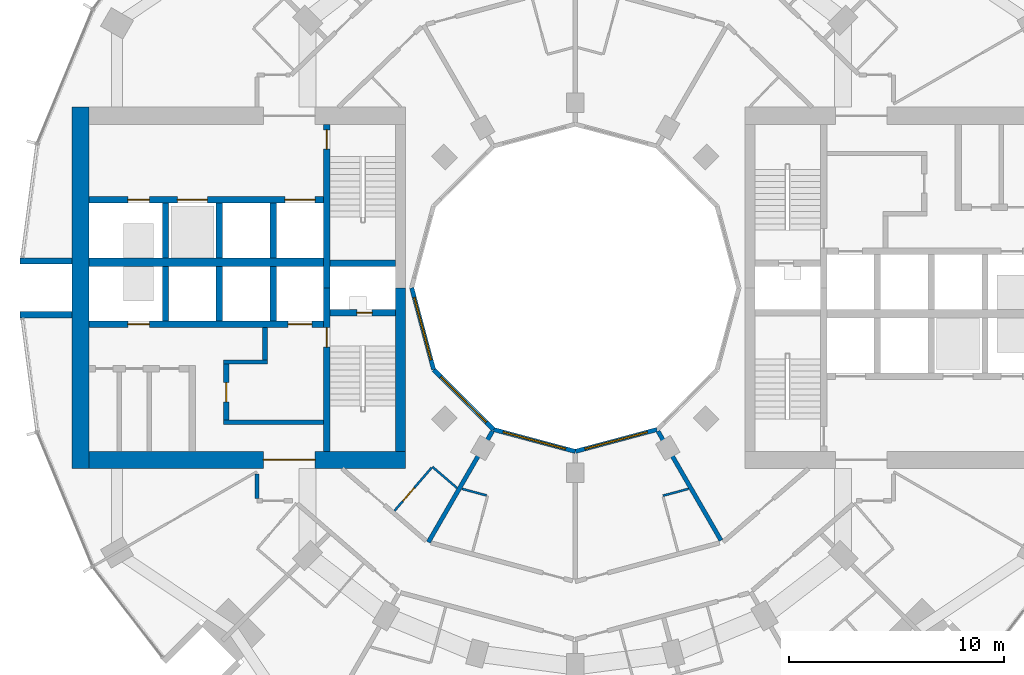
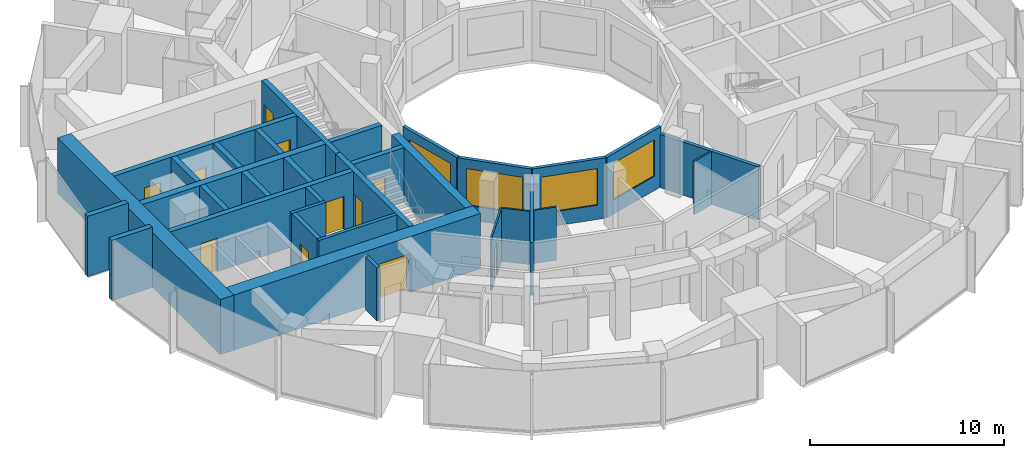
# One storey, part 9 of 15: 33 walls, 11 doors, 4 windows, 15 openings.
"""IFC4 building model written with IfcOpenShell, lengths in metres."""

from ifc_helpers import new_model, si_unit, direction, frame, frame_2d, origin, place, context, subcontext, project, spatial, rectangle, extrude, material, layer, layer_set, type_object, element, fill, save


model = new_model("IFC4")

# Units and contexts
model_context = context("Model", 3, precision=1e-05, world=origin(), true_north=direction((0.0, 1.0)))
body_context = subcontext(model_context, "Body", "Model", "MODEL_VIEW")
ifc_project = project(units=[si_unit("LENGTHUNIT", "METRE"), si_unit("AREAUNIT", "SQUARE_METRE"), si_unit("VOLUMEUNIT", "CUBIC_METRE"), si_unit("PLANEANGLEUNIT", "RADIAN"), si_unit("MASSUNIT", "GRAM", prefix="KILO")], contexts=[model_context])

# Site, building, storey
site_placement = place(None, origin())
site = spatial("IfcSite", under=ifc_project, at=site_placement, CompositionType="ELEMENT")
building_placement = place(site_placement, origin())
building = spatial("IfcBuilding", under=site, at=building_placement, Name="Torre Brocal", CompositionType="ELEMENT")
storey_placement = place(building_placement, frame((0.0, 0.0, 36.39990234375)))
storey = spatial("IfcBuildingStorey", under=building, at=storey_placement, Name="L07", CompositionType="ELEMENT", Elevation=36.39990234375)

# Walls
ifc_material_1 = material(Name="Concrete C80", Category="concrete")
ifc_layer_1 = layer(ifc_material_1, 0.199951171875)
ifc_layer_set_1 = layer_set([ifc_layer_1], Name="Concrete C80")
wall_type_1 = type_object("IfcWallType", Name="CORE WALL 200 C80", PredefinedType="SHEAR", material=ifc_layer_set_1)
wall_1_placement = place(storey_placement, frame((68.300048828125, 68.75, 0.0), z_axis=(0.0, 0.0, 1.0), x_axis=(-1.0, 0.0, 0.0)))
element("IfcWall", 1, at=wall_1_placement, inside=storey, type_object=wall_type_1, Name="Wall CW200-80", PredefinedType="SHEAR", context=body_context, shape_type="SweptSolid", body=[
    extrude(rectangle(XDim=4.650146484375, YDim=0.199951171875, at=frame_2d((2.3251953125, 0.0))), origin(), (0.0, 0.0, 1.0), 3.47998046875),
])
wall_2_placement = place(storey_placement, frame((65.699951171875, 71.550048828125, 0.0), z_axis=(0.0, 0.0, 1.0), x_axis=(-1.0, 0.0, 0.0)))
element("IfcWall", 2, at=wall_2_placement, inside=storey, type_object=wall_type_1, Name="Wall CW200-80", PredefinedType="SHEAR", context=body_context, shape_type="SweptSolid", body=[
    extrude(rectangle(XDim=2.050048828125, YDim=0.199951171875, at=frame_2d((1.02490234375, 0.0))), origin(), (0.0, 0.0, 1.0), 3.47998046875),
])

# Wall, opening, door
ifc_material_2 = material(Name="Concrete C80", Category="concrete")
ifc_layer_2 = layer(ifc_material_2, 0.25)
ifc_layer_set_2 = layer_set([ifc_layer_2], Name="Concrete C80")
wall_type_2 = type_object("IfcWallType", Name="CORE WALL 250 C80", PredefinedType="SHEAR", material=ifc_layer_set_2)
wall_3_placement = place(storey_placement, frame((63.77490234375, 71.449951171875, 0.0), z_axis=(0.0, 0.0, 1.0), x_axis=(0.0, -1.0, 0.0)))
wall_3 = element("IfcWall", 3, at=wall_3_placement, inside=storey, type_object=wall_type_2, Name="Wall CW250-80", PredefinedType="SHEAR", context=body_context, shape_type="SweptSolid", body=[
    extrude(rectangle(XDim=2.599853515625, YDim=0.25, at=frame_2d((1.2998046875, 0.0))), origin(), (0.0, 0.0, 1.0), 3.47998046875),
])
opening_1_placement = place(wall_3_placement, frame((0.85009765625, 0.0, 0.0)))
opening_1 = element("IfcOpeningElement", 4, at=opening_1_placement, cuts=wall_3, Name="Opening W-D15", PredefinedType="OPENING", context=body_context, shape_type="SweptSolid", body=[
    extrude(rectangle(XDim=0.89990234375, YDim=2.10009765625, at=frame_2d((0.449951171875, 1.050048828125))), frame((0.0, 0.135009765625, 0.0), z_axis=(0.0, -1.0, 0.0), x_axis=(1.0, 0.0, 0.0)), (0.0, 0.0, 1.0), 0.27001953125),
])
ifc_material_3 = material(Name="Steel A653", Category="steel")
door_type_1 = type_object("IfcDoorType", Name="LOBBY DOOR FD120 900X2100", OperationType="SINGLE_SWING_RIGHT", PredefinedType="DOOR", material=ifc_material_3)
door_1_placement = place(opening_1_placement, origin())
door_1 = element("IfcDoor", 5, at=door_1_placement, inside=storey, type_object=door_type_1, Name="Door W-D15", OperationType="SINGLE_SWING_LEFT", OverallHeight=2.10009765625, OverallWidth=0.89990234375, PredefinedType="DOOR", context=body_context, shape_type="SweptSolid", body=[
    extrude(rectangle(XDim=0.89990234375, YDim=2.10009765625, at=frame_2d((0.449951171875, 1.050048828125))), frame((0.0, 0.02490234375, 0.0), z_axis=(0.0, -1.0, 0.0), x_axis=(1.0, 0.0, 0.0)), (0.0, 0.0, 1.0), 0.050048828125),
])
fill(opening_1, door_1)

# Wall
wall_4_placement = place(storey_placement, frame((65.574951171875, 73.14990234375, 0.0), z_axis=(0.0, 0.0, 1.0), x_axis=(0.0, -1.0, 0.0)))
element("IfcWall", 6, at=wall_4_placement, inside=storey, type_object=wall_type_2, Name="Wall CW250-80", PredefinedType="SHEAR", context=body_context, shape_type="SweptSolid", body=[
    extrude(rectangle(XDim=1.5, YDim=0.25, at=frame_2d((0.75, 0.0))), origin(), (0.0, 0.0, 1.0), 3.47998046875),
])

# Wall, opening, door
ifc_material_4 = material(Name="Concrete C80", Category="concrete")
ifc_layer_3 = layer(ifc_material_4, 0.300048828125)
ifc_layer_set_3 = layer_set([ifc_layer_3], Name="Concrete C80")
wall_type_3 = type_object("IfcWallType", Name="CORE WALL 300 C80", PredefinedType="SHEAR", material=ifc_layer_set_3)
wall_5_placement = place(storey_placement, frame((68.449951171875, 75.0, 0.0), z_axis=(0.0, 0.0, 1.0), x_axis=(0.0, -1.0, 0.0)))
wall_5 = element("IfcWall", 7, at=wall_5_placement, inside=storey, type_object=wall_type_3, Name="Wall CW300-80", PredefinedType="SHEAR", context=body_context, shape_type="SweptSolid", body=[
    extrude(rectangle(XDim=7.60009765625, YDim=0.300048828125, at=frame_2d((3.800048828125, 0.0))), origin(), (0.0, 0.0, 1.0), 3.47998046875),
])
opening_2_placement = place(wall_5_placement, frame((1.85009765625, 0.0, 0.0)))
opening_2 = element("IfcOpeningElement", 8, at=opening_2_placement, cuts=wall_5, Name="Opening W-D02", PredefinedType="OPENING", context=body_context, shape_type="SweptSolid", body=[
    extrude(rectangle(XDim=0.89990234375, YDim=2.10009765625, at=frame_2d((0.449951171875, 1.050048828125))), frame((0.0, 0.159912109375, 0.0), z_axis=(0.0, -1.0, 0.0), x_axis=(1.0, 0.0, 0.0)), (0.0, 0.0, 1.0), 0.320068359375),
])
ifc_material_5 = material(Name="Steel A653", Category="steel")
door_type_2 = type_object("IfcDoorType", Name="STAIR DOOR FD120 900X2100", OperationType="SINGLE_SWING_RIGHT", PredefinedType="DOOR", material=ifc_material_5)
door_2_placement = place(opening_2_placement, origin())
door_2 = element("IfcDoor", 9, at=door_2_placement, inside=storey, type_object=door_type_2, Name="Door W-D02", OperationType="SINGLE_SWING_LEFT", OverallHeight=2.10009765625, OverallWidth=0.89990234375, PredefinedType="DOOR", context=body_context, shape_type="SweptSolid", body=[
    extrude(rectangle(XDim=0.89990234375, YDim=2.10009765625, at=frame_2d((0.449951171875, 1.050048828125))), frame((0.0, 0.02490234375, 0.0), z_axis=(0.0, -1.0, 0.0), x_axis=(1.0, 0.0, 0.0)), (0.0, 0.0, 1.0), 0.050048828125),
])
fill(opening_2, door_2)

wall_6_placement = place(storey_placement, frame((68.449951171875, 82.60009765625, 0.0), z_axis=(0.0, 0.0, 1.0), x_axis=(0.0, -1.0, 0.0)))
wall_6 = element("IfcWall", 10, at=wall_6_placement, inside=storey, type_object=wall_type_3, Name="Wall CW300-80", PredefinedType="SHEAR", context=body_context, shape_type="SweptSolid", body=[
    extrude(rectangle(XDim=7.60009765625, YDim=0.300048828125, at=frame_2d((3.800048828125, 0.0))), origin(), (0.0, 0.0, 1.0), 3.47998046875),
])
opening_3_placement = place(wall_6_placement, frame((0.25, 0.0, 0.0)))
opening_3 = element("IfcOpeningElement", 11, at=opening_3_placement, cuts=wall_6, Name="Opening W-D03", PredefinedType="OPENING", context=body_context, shape_type="SweptSolid", body=[
    extrude(rectangle(XDim=0.89990234375, YDim=2.10009765625, at=frame_2d((0.449951171875, 1.050048828125))), frame((0.0, 0.159912109375, 0.0), z_axis=(0.0, -1.0, 0.0), x_axis=(1.0, 0.0, 0.0)), (0.0, 0.0, 1.0), 0.320068359375),
])
door_3_placement = place(opening_3_placement, origin())
door_3 = element("IfcDoor", 12, at=door_3_placement, inside=storey, type_object=door_type_2, Name="Door W-D03", OperationType="SINGLE_SWING_LEFT", OverallHeight=2.10009765625, OverallWidth=0.89990234375, PredefinedType="DOOR", context=body_context, shape_type="SweptSolid", body=[
    extrude(rectangle(XDim=0.89990234375, YDim=2.10009765625, at=frame_2d((0.449951171875, 1.050048828125))), frame((0.0, 0.02490234375, 0.0), z_axis=(0.0, -1.0, 0.0), x_axis=(1.0, 0.0, 0.0)), (0.0, 0.0, 1.0), 0.050048828125),
])
fill(opening_3, door_3)

wall_7_placement = place(storey_placement, frame((71.64990234375, 73.85009765625, 0.0), z_axis=(0.0, 0.0, 1.0), x_axis=(-1.0, 0.0, 0.0)))
wall_7 = element("IfcWall", 13, at=wall_7_placement, inside=storey, type_object=wall_type_3, Name="Wall CW300-80", PredefinedType="SHEAR", context=body_context, shape_type="SweptSolid", body=[
    extrude(rectangle(XDim=3.0498046875, YDim=0.300048828125, at=frame_2d((1.52490234375, 0.0))), origin(), (0.0, 0.0, 1.0), 3.47998046875),
])
opening_4_placement = place(wall_7_placement, frame((1.10009765625, 0.0, 0.0)))
opening_4 = element("IfcOpeningElement", 14, at=opening_4_placement, cuts=wall_7, Name="Opening W-D01", PredefinedType="OPENING", context=body_context, shape_type="SweptSolid", body=[
    extrude(rectangle(XDim=0.699951171875, YDim=2.0, at=frame_2d((0.35009765625, 1.0))), frame((0.0, 0.159912109375, 0.0), z_axis=(0.0, -1.0, 0.0), x_axis=(1.0, 0.0, 0.0)), (0.0, 0.0, 1.0), 0.320068359375),
])
ifc_material_6 = material(Name="Steel A653", Category="steel")
door_type_3 = type_object("IfcDoorType", Name="RISER DOOR FD120 700X2000", OperationType="SINGLE_SWING_LEFT", PredefinedType="DOOR", material=ifc_material_6)
door_4_placement = place(opening_4_placement, frame((0.699951171875, 0.0, 0.0), z_axis=(0.0, 0.0, 1.0), x_axis=(-1.0, 0.0, 0.0)))
door_4 = element("IfcDoor", 15, at=door_4_placement, inside=storey, type_object=door_type_3, Name="Door W-D01", OperationType="SINGLE_SWING_RIGHT", OverallHeight=2.0, OverallWidth=0.699951171875, PredefinedType="DOOR", context=body_context, shape_type="SweptSolid", body=[
    extrude(rectangle(XDim=0.699951171875, YDim=2.0, at=frame_2d((0.35009765625, 1.0))), frame((0.0, 0.02490234375, 0.0), z_axis=(0.0, -1.0, 0.0), x_axis=(1.0, 0.0, 0.0)), (0.0, 0.0, 1.0), 0.050048828125),
])
fill(opening_4, door_4)

# Wall
wall_8_placement = place(storey_placement, frame((71.64990234375, 76.14990234375, 0.0), z_axis=(0.0, 0.0, 1.0), x_axis=(-1.0, 0.0, 0.0)))
element("IfcWall", 16, at=wall_8_placement, inside=storey, type_object=wall_type_3, Name="Wall CW300-80", PredefinedType="SHEAR", context=body_context, shape_type="SweptSolid", body=[
    extrude(rectangle(XDim=3.0498046875, YDim=0.300048828125, at=frame_2d((1.52490234375, 0.0))), origin(), (0.0, 0.0, 1.0), 3.47998046875),
])

# Wall, openings, doors
wall_9_placement = place(storey_placement, frame((68.300048828125, 73.300048828125, 0.0), z_axis=(0.0, 0.0, 1.0), x_axis=(-1.0, 0.0, 0.0)))
wall_9 = element("IfcWall", 17, at=wall_9_placement, inside=storey, type_object=wall_type_3, Name="Wall CW300-80", PredefinedType="SHEAR", context=body_context, shape_type="SweptSolid", body=[
    extrude(rectangle(XDim=10.900146484375, YDim=0.300048828125, at=frame_2d((5.4501953125, 0.0))), origin(), (0.0, 0.0, 1.0), 3.47998046875),
])
opening_5_placement = place(wall_9_placement, frame((0.550048828125, 0.0, 0.0)))
opening_5 = element("IfcOpeningElement", 18, at=opening_5_placement, cuts=wall_9, Name="Opening LD", PredefinedType="OPENING", context=body_context, shape_type="SweptSolid", body=[
    extrude(rectangle(XDim=1.10009765625, YDim=2.10009765625, at=frame_2d((0.550048828125, 1.050048828125))), frame((0.0, 0.159912109375, 0.0), z_axis=(0.0, -1.0, 0.0), x_axis=(1.0, 0.0, 0.0)), (0.0, 0.0, 1.0), 0.320068359375),
])
opening_6_placement = place(wall_9_placement, frame((8.10009765625, 0.0, 0.0)))
opening_6 = element("IfcOpeningElement", 19, at=opening_6_placement, cuts=wall_9, Name="Opening LD10", PredefinedType="OPENING", context=body_context, shape_type="SweptSolid", body=[
    extrude(rectangle(XDim=1.0, YDim=2.10009765625, at=frame_2d((0.5, 1.050048828125))), frame((0.0, 0.159912109375, 0.0), z_axis=(0.0, -1.0, 0.0), x_axis=(1.0, 0.0, 0.0)), (0.0, 0.0, 1.0), 0.320068359375),
])
ifc_material_7 = material(Name="Stainless steel AISI 316", Category="steel")
door_type_4 = type_object("IfcDoorType", Name="LIFT LANDING DOOR 1000X2100", OperationType="DOUBLE_DOOR_SLIDING", PredefinedType="DOOR", material=ifc_material_7)
door_5_placement = place(opening_6_placement, origin())
door_5 = element("IfcDoor", 20, at=door_5_placement, inside=storey, type_object=door_type_4, Name="Door LD10", OperationType="DOUBLE_DOOR_SLIDING", OverallHeight=2.10009765625, OverallWidth=1.0, PredefinedType="DOOR", context=body_context, shape_type="SweptSolid", body=[
    extrude(rectangle(XDim=1.0, YDim=2.10009765625, at=frame_2d((0.5, 1.050048828125))), frame((0.0, 0.02490234375, 0.0), z_axis=(0.0, -1.0, 0.0), x_axis=(1.0, 0.0, 0.0)), (0.0, 0.0, 1.0), 0.050048828125),
])
fill(opening_6, door_5)
ifc_material_8 = material(Name="Stainless steel AISI 316", Category="steel")
door_type_5 = type_object("IfcDoorType", Name="LIFT LANDING DOOR 1100X2100", OperationType="DOUBLE_DOOR_SLIDING", PredefinedType="DOOR", material=ifc_material_8)
door_6_placement = place(opening_5_placement, origin())
door_6 = element("IfcDoor", 21, at=door_6_placement, inside=storey, type_object=door_type_5, Name="Door LD", OperationType="DOUBLE_DOOR_SLIDING", OverallHeight=2.10009765625, OverallWidth=1.10009765625, PredefinedType="DOOR", context=body_context, shape_type="SweptSolid", body=[
    extrude(rectangle(XDim=1.10009765625, YDim=2.10009765625, at=frame_2d((0.550048828125, 1.050048828125))), frame((0.0, 0.02490234375, 0.0), z_axis=(0.0, -1.0, 0.0), x_axis=(1.0, 0.0, 0.0)), (0.0, 0.0, 1.0), 0.050048828125),
])
fill(opening_5, door_6)

wall_10_placement = place(storey_placement, frame((68.300048828125, 79.10009765625, 0.0), z_axis=(0.0, 0.0, 1.0), x_axis=(-1.0, 0.0, 0.0)))
wall_10 = element("IfcWall", 22, at=wall_10_placement, inside=storey, type_object=wall_type_3, Name="Wall CW300-80", PredefinedType="SHEAR", context=body_context, shape_type="SweptSolid", body=[
    extrude(rectangle(XDim=10.900146484375, YDim=0.300048828125, at=frame_2d((5.4501953125, 0.0))), origin(), (0.0, 0.0, 1.0), 3.47998046875),
])
opening_7_placement = place(wall_10_placement, frame((0.39990234375, 0.0, 0.0)))
opening_7 = element("IfcOpeningElement", 23, at=opening_7_placement, cuts=wall_10, Name="Opening LD14", PredefinedType="OPENING", context=body_context, shape_type="SweptSolid", body=[
    extrude(rectangle(XDim=1.39990234375, YDim=2.10009765625, at=frame_2d((0.699951171875, 1.050048828125))), frame((0.0, 0.159912109375, 0.0), z_axis=(0.0, -1.0, 0.0), x_axis=(1.0, 0.0, 0.0)), (0.0, 0.0, 1.0), 0.320068359375),
])
opening_8_placement = place(wall_10_placement, frame((5.39990234375, 0.0, 0.0)))
opening_8 = element("IfcOpeningElement", 24, at=opening_8_placement, cuts=wall_10, Name="Opening LD14", PredefinedType="OPENING", context=body_context, shape_type="SweptSolid", body=[
    extrude(rectangle(XDim=1.39990234375, YDim=2.10009765625, at=frame_2d((0.699951171875, 1.050048828125))), frame((0.0, 0.159912109375, 0.0), z_axis=(0.0, -1.0, 0.0), x_axis=(1.0, 0.0, 0.0)), (0.0, 0.0, 1.0), 0.320068359375),
])
opening_9_placement = place(wall_10_placement, frame((8.10009765625, 0.0, 0.0)))
opening_9 = element("IfcOpeningElement", 25, at=opening_9_placement, cuts=wall_10, Name="Opening LD10", PredefinedType="OPENING", context=body_context, shape_type="SweptSolid", body=[
    extrude(rectangle(XDim=1.0, YDim=2.10009765625, at=frame_2d((0.5, 1.050048828125))), frame((0.0, 0.159912109375, 0.0), z_axis=(0.0, -1.0, 0.0), x_axis=(1.0, 0.0, 0.0)), (0.0, 0.0, 1.0), 0.320068359375),
])
door_7_placement = place(opening_9_placement, origin())
door_7 = element("IfcDoor", 26, at=door_7_placement, inside=storey, type_object=door_type_4, Name="Door LD10", OperationType="DOUBLE_DOOR_SLIDING", OverallHeight=2.10009765625, OverallWidth=1.0, PredefinedType="DOOR", context=body_context, shape_type="SweptSolid", body=[
    extrude(rectangle(XDim=1.0, YDim=2.10009765625, at=frame_2d((0.5, 1.050048828125))), frame((0.0, 0.02490234375, 0.0), z_axis=(0.0, -1.0, 0.0), x_axis=(1.0, 0.0, 0.0)), (0.0, 0.0, 1.0), 0.050048828125),
])
fill(opening_9, door_7)
ifc_material_9 = material(Name="Stainless steel AISI 316", Category="steel")
door_type_6 = type_object("IfcDoorType", Name="LIFT LANDING DOOR 1400X2100", OperationType="DOUBLE_DOOR_SLIDING", PredefinedType="DOOR", material=ifc_material_9)
door_8_placement = place(opening_7_placement, origin())
door_8 = element("IfcDoor", 27, at=door_8_placement, inside=storey, type_object=door_type_6, Name="Door LD14", OperationType="DOUBLE_DOOR_SLIDING", OverallHeight=2.10009765625, OverallWidth=1.39990234375, PredefinedType="DOOR", context=body_context, shape_type="SweptSolid", body=[
    extrude(rectangle(XDim=1.39990234375, YDim=2.10009765625, at=frame_2d((0.699951171875, 1.050048828125))), frame((0.0, 0.02490234375, 0.0), z_axis=(0.0, -1.0, 0.0), x_axis=(1.0, 0.0, 0.0)), (0.0, 0.0, 1.0), 0.050048828125),
])
fill(opening_7, door_8)
door_9_placement = place(opening_8_placement, origin())
door_9 = element("IfcDoor", 28, at=door_9_placement, inside=storey, type_object=door_type_6, Name="Door LD14", OperationType="DOUBLE_DOOR_SLIDING", OverallHeight=2.10009765625, OverallWidth=1.39990234375, PredefinedType="DOOR", context=body_context, shape_type="SweptSolid", body=[
    extrude(rectangle(XDim=1.39990234375, YDim=2.10009765625, at=frame_2d((0.699951171875, 1.050048828125))), frame((0.0, 0.02490234375, 0.0), z_axis=(0.0, -1.0, 0.0), x_axis=(1.0, 0.0, 0.0)), (0.0, 0.0, 1.0), 0.050048828125),
])
fill(opening_8, door_9)

# Walls
for number, where, z_axis, x_axis, name in (
    (29, (65.949951171875, 76.0, 0.0), (0.0, 0.0, 1.0), (0.0, -1.0, 0.0), "Wall CW300-80"),
    (30, (63.449951171875, 76.0, 0.0), (0.0, 0.0, 1.0), (0.0, -1.0, 0.0), "Wall CW300-80"),
    (31, (60.949951171875, 76.0, 0.0), (0.0, 0.0, 1.0), (0.0, -1.0, 0.0), "Wall CW300-80"),
    (32, (65.949951171875, 78.949951171875, 0.0), (0.0, 0.0, 1.0), (0.0, -1.0, 0.0), "Wall CW300-80"),
    (33, (63.449951171875, 78.949951171875, 0.0), (0.0, 0.0, 1.0), (0.0, -1.0, 0.0), "Wall CW300-80"),
    (34, (60.949951171875, 78.949951171875, 0.0), (0.0, 0.0, 1.0), (0.0, -1.0, 0.0), "Wall CW300-80"),
):
    element("IfcWall", number, at=place(storey_placement, frame(where, z_axis=z_axis, x_axis=x_axis)), inside=storey, type_object=wall_type_3, Name=name, PredefinedType="SHEAR", context=body_context, shape_type="SweptSolid", body=[
        extrude(rectangle(XDim=2.550048828125, YDim=0.300048828125, at=frame_2d((1.27490234375, 0.0))), origin(), (0.0, 0.0, 1.0), 3.47998046875),
    ])
ifc_material_10 = material(Name="Concrete C80", Category="concrete")
ifc_layer_4 = layer(ifc_material_10, 0.39990234375)
ifc_layer_set_4 = layer_set([ifc_layer_4], Name="Concrete C80")
wall_type_4 = type_object("IfcWallType", Name="CORE WALL 400 C80", PredefinedType="SHEAR", material=ifc_layer_set_4)
wall_11_placement = place(storey_placement, frame((68.300048828125, 76.199951171875, 0.0), z_axis=(0.0, 0.0, 1.0), x_axis=(-1.0, 0.0, 0.0)))
element("IfcWall", 35, at=wall_11_placement, inside=storey, type_object=wall_type_4, Name="Wall CW400-80", PredefinedType="SHEAR", context=body_context, shape_type="SweptSolid", body=[
    extrude(rectangle(XDim=10.900146484375, YDim=0.39990234375, at=frame_2d((5.4501953125, 0.0))), origin(), (0.0, 0.0, 1.0), 3.47998046875),
])
ifc_material_11 = material(Name="Concrete C80", Category="concrete")
ifc_layer_5 = layer(ifc_material_11, 0.449951171875)
ifc_layer_set_5 = layer_set([ifc_layer_5], Name="Concrete C80")
wall_type_5 = type_object("IfcWallType", Name="CORE WALL 450 C80", PredefinedType="SHEAR", material=ifc_layer_set_5)
wall_12_placement = place(storey_placement, frame((71.875, 75.0, 0.0), z_axis=(0.0, 0.0, 1.0), x_axis=(0.0, -1.0, 0.0)))
element("IfcWall", 36, at=wall_12_placement, inside=storey, type_object=wall_type_5, Name="Wall CW450-80", PredefinedType="SHEAR", context=body_context, shape_type="SweptSolid", body=[
    extrude(rectangle(XDim=7.60009765625, YDim=0.449951171875, at=frame_2d((3.800048828125, 0.0))), origin(), (0.0, 0.0, 1.0), 3.47998046875),
])

# Wall, opening, door
ifc_material_12 = material(Name="Concrete C80", Category="concrete")
ifc_layer_6 = layer(ifc_material_12, 0.800048828125)
ifc_layer_set_6 = layer_set([ifc_layer_6], Name="Concrete C80")
wall_type_6 = type_object("IfcWallType", Name="CORE WALL 800 C80", PredefinedType="SHEAR", material=ifc_layer_set_6)
wall_13_placement = place(storey_placement, frame((72.10009765625, 67.0, 0.0), z_axis=(0.0, 0.0, 1.0), x_axis=(-1.0, 0.0, 0.0)))
wall_13 = element("IfcWall", 37, at=wall_13_placement, inside=storey, type_object=wall_type_6, Name="Wall CW800-80", PredefinedType="SHEAR", context=body_context, shape_type="SweptSolid", body=[
    extrude(rectangle(XDim=14.7001953125, YDim=0.800048828125, at=frame_2d((7.35009765625, 0.0))), origin(), (0.0, 0.0, 1.0), 3.47998046875),
])
opening_10_placement = place(wall_13_placement, frame((4.199951171875, 0.0, 0.0)))
opening_10 = element("IfcOpeningElement", 38, at=opening_10_placement, cuts=wall_13, Name="Opening W-D27", PredefinedType="OPENING", context=body_context, shape_type="SweptSolid", body=[
    extrude(rectangle(XDim=2.39990234375, YDim=2.39990234375, at=frame_2d((1.199951171875, 1.199951171875))), frame((0.0, 0.409912109375, 0.0), z_axis=(0.0, -1.0, 0.0), x_axis=(1.0, 0.0, 0.0)), (0.0, 0.0, 1.0), 0.820068359375),
])
ifc_material_13 = material(Name="Steel A653", Category="steel")
door_type_7 = type_object("IfcDoorType", Name="DOUBLE FIRE DOOR FD90 2400X2400", OperationType="DOUBLE_DOOR_SINGLE_SWING", PredefinedType="DOOR", material=ifc_material_13)
door_10_placement = place(opening_10_placement, frame((2.39990234375, 0.0, 0.0), z_axis=(0.0, 0.0, 1.0), x_axis=(-1.0, 0.0, 0.0)))
door_10 = element("IfcDoor", 39, at=door_10_placement, inside=storey, type_object=door_type_7, Name="Door W-D27", OperationType="DOUBLE_DOOR_SINGLE_SWING", OverallHeight=2.39990234375, OverallWidth=2.39990234375, PredefinedType="DOOR", context=body_context, shape_type="SweptSolid", body=[
    extrude(rectangle(XDim=2.39990234375, YDim=2.39990234375, at=frame_2d((1.199951171875, 1.199951171875))), frame((0.0, 0.02490234375, 0.0), z_axis=(0.0, -1.0, 0.0), x_axis=(1.0, 0.0, 0.0)), (0.0, 0.0, 1.0), 0.050048828125),
])
fill(opening_10, door_10)

# Walls
wall_14_placement = place(storey_placement, frame((57.0, 83.39990234375, 0.0), z_axis=(0.0, 0.0, 1.0), x_axis=(0.0, -1.0, 0.0)))
element("IfcWall", 40, at=wall_14_placement, inside=storey, type_object=wall_type_6, Name="Wall CW800-80", PredefinedType="SHEAR", context=body_context, shape_type="SweptSolid", body=[
    extrude(rectangle(XDim=16.7998046875, YDim=0.800048828125, at=frame_2d((8.39990234375, 0.0))), origin(), (0.0, 0.0, 1.0), 3.47998046875),
])
ifc_material_14 = material(Name="Concrete C80", Category="concrete")
ifc_layer_7 = layer(ifc_material_14, 0.300048828125)
ifc_layer_set_7 = layer_set([ifc_layer_7], Name="Concrete C80")
wall_type_7 = type_object("IfcWallType", Name="NOTCH RETURN WALL 300 C80", PredefinedType="NOTDEFINED", material=ifc_layer_set_7)
for number, where, z_axis, x_axis, name in (
    (41, (56.60009765625, 76.25, 0.0), (0.0, 0.0, 1.0), (-1.0, 0.0, 0.0), "NOTCH RETURN WALL"),
    (42, (56.60009765625, 73.75, 0.0), (0.0, 0.0, 1.0), (-1.0, 0.0, 0.0), "NOTCH RETURN WALL"),
):
    element("IfcWall", number, at=place(storey_placement, frame(where, z_axis=z_axis, x_axis=x_axis)), inside=storey, type_object=wall_type_7, Name=name, PredefinedType="NOTDEFINED", context=body_context, shape_type="SweptSolid", body=[
        extrude(rectangle(XDim=2.415771484375, YDim=0.300048828125, at=frame_2d((1.2080078125, 0.0))), origin(), (0.0, 0.0, 1.0), 3.800048828125),
    ])

# Wall, opening, door
ifc_material_15 = material(Name="Gypsum board", Category="Gypsum")
ifc_layer_8 = layer(ifc_material_15, 0.10009765625)
ifc_layer_set_8 = layer_set([ifc_layer_8], Name="Gypsum board")
wall_type_8 = type_object("IfcWallType", Name="PARTITION 100", PredefinedType="PARTITIONING", material=ifc_layer_set_8)
wall_15_placement = place(storey_placement, frame((71.59619140625, 64.634765625, 0.0), z_axis=(0.0, 0.0, 1.0), x_axis=(0.652285007511, 0.757973791748, 0.0)))
wall_15 = element("IfcWall", 43, at=wall_15_placement, inside=storey, type_object=wall_type_8, Name="BATHROOM WALL", PredefinedType="PARTITIONING", context=body_context, shape_type="SweptSolid", body=[
    extrude(rectangle(XDim=2.649658203125, YDim=0.10009765625, at=frame_2d((1.32470703125, 0.0))), origin(), (0.0, 0.0, 1.0), 3.35009765625),
])
opening_11_placement = place(wall_15_placement, frame((0.599609375, 0.0, 0.0)))
opening_11 = element("IfcOpeningElement", 44, at=opening_11_placement, cuts=wall_15, Name="Opening H01-D49", PredefinedType="OPENING", context=body_context, shape_type="SweptSolid", body=[
    extrude(rectangle(XDim=0.800048828125, YDim=2.10009765625, at=frame_2d((0.39990234375, 1.050048828125))), frame((0.0, 0.06005859375, 0.0), z_axis=(0.0, -1.0, 0.0), x_axis=(1.0, 0.0, 0.0)), (0.0, 0.0, 1.0), 0.1201171875),
])
ifc_material_16 = material(Name="Timber", Category="wood")
door_type_8 = type_object("IfcDoorType", Name="BATHROOM DOOR 800X2100", OperationType="SINGLE_SWING_LEFT", PredefinedType="DOOR", material=ifc_material_16)
door_11_placement = place(opening_11_placement, frame((0.800048828125, 0.0, 0.0), z_axis=(0.0, 0.0, 1.0), x_axis=(-1.0, 0.0, 0.0)))
door_11 = element("IfcDoor", 45, at=door_11_placement, inside=storey, type_object=door_type_8, Name="H01-D49", OperationType="SINGLE_SWING_RIGHT", OverallHeight=2.10009765625, OverallWidth=0.800048828125, PredefinedType="DOOR", context=body_context, shape_type="SweptSolid", body=[
    extrude(rectangle(XDim=0.800048828125, YDim=2.10009765625, at=frame_2d((0.39990234375, 1.050048828125))), frame((0.0, 0.02490234375, 0.0), z_axis=(0.0, -1.0, 0.0), x_axis=(1.0, 0.0, 0.0)), (0.0, 0.0, 1.0), 0.050048828125),
])
fill(opening_11, door_11)

# Walls
wall_16_placement = place(storey_placement, frame((73.35693359375, 66.680908203125, 0.0), z_axis=(0.0, 0.0, 1.0), x_axis=(0.758263469747, -0.651948242154, 0.0)))
element("IfcWall", 46, at=wall_16_placement, inside=storey, type_object=wall_type_8, Name="BATHROOM WALL", PredefinedType="PARTITIONING", context=body_context, shape_type="SweptSolid", body=[
    extrude(rectangle(XDim=1.510986328125, YDim=0.10009765625, at=frame_2d((0.75537109375, 0.0))), origin(), (0.0, 0.0, 1.0), 3.35009765625),
])
wall_17_placement = place(storey_placement, frame((74.729248046875, 65.657470703125, 0.0), z_axis=(0.0, 0.0, 1.0), x_axis=(0.965948051503, -0.258736085224, 0.0)))
element("IfcWall", 47, at=wall_17_placement, inside=storey, type_object=wall_type_8, Name="BATHROOM WALL", PredefinedType="PARTITIONING", context=body_context, shape_type="SweptSolid", body=[
    extrude(rectangle(XDim=1.18896484375, YDim=0.10009765625, at=frame_2d((0.594482421875, 0.0))), origin(), (0.0, 0.0, 1.0), 3.35009765625),
])
wall_18_placement = place(storey_placement, frame((84.073974609375, 65.3369140625, 0.0), z_axis=(0.0, 0.0, 1.0), x_axis=(0.965914351064, 0.258861867428, 0.0)))
element("IfcWall", 48, at=wall_18_placement, inside=storey, type_object=wall_type_8, Name="BATHROOM WALL", PredefinedType="PARTITIONING", context=body_context, shape_type="SweptSolid", body=[
    extrude(rectangle(XDim=1.22900390625, YDim=0.10009765625, at=frame_2d((0.614501953125, 0.0))), origin(), (0.0, 0.0, 1.0), 3.35009765625),
])
ifc_material_17 = material(Name="Gypsum board", Category="Gypsum")
ifc_layer_9 = layer(ifc_material_17, 0.199951171875)
ifc_layer_set_9 = layer_set([ifc_layer_9], Name="Gypsum board")
wall_type_9 = type_object("IfcWallType", Name="PARTITION 200 EI60", PredefinedType="PARTITIONING", material=ifc_layer_set_9)
wall_19_placement = place(storey_placement, frame((65.199951171875, 65.199951171875, 0.0), z_axis=(0.0, 0.0, 1.0), x_axis=(0.0, 1.0, 0.0)))
element("IfcWall", 49, at=wall_19_placement, inside=storey, type_object=wall_type_9, Name="GUESTROOM CORRIDOR WALL", PredefinedType="PARTITIONING", context=body_context, shape_type="SweptSolid", body=[
    extrude(rectangle(XDim=1.150146484375, YDim=0.199951171875, at=frame_2d((0.5751953125, 0.0))), origin(), (0.0, 0.0, 1.0), 3.35009765625),
])
wall_20_placement = place(storey_placement, frame((73.1708984375, 63.17724609375, 0.0), z_axis=(0.0, 0.0, 1.0), x_axis=(0.500257106344, 0.865876912472, 0.0)))
element("IfcWall", 50, at=wall_20_placement, inside=storey, type_object=wall_type_9, Name="BATHROOM WALL", PredefinedType="PARTITIONING", context=body_context, shape_type="SweptSolid", body=[
    extrude(rectangle(XDim=5.954833984375, YDim=0.199951171875, at=frame_2d((2.9775390625, 0.0))), origin(), (0.0, 0.0, 1.0), 3.35009765625),
])
wall_21_placement = place(storey_placement, frame((83.84814453125, 68.33251953125, 0.0), z_axis=(0.0, 0.0, 1.0), x_axis=(0.499951054106, -0.866053660865, 0.0)))
element("IfcWall", 51, at=wall_21_placement, inside=storey, type_object=wall_type_9, Name="BATHROOM WALL", PredefinedType="PARTITIONING", context=body_context, shape_type="SweptSolid", body=[
    extrude(rectangle(XDim=5.85498046875, YDim=0.199951171875, at=frame_2d((2.927490234375, 0.0))), origin(), (0.0, 0.0, 1.0), 3.35009765625),
])

# Wall, opening, window
ifc_material_18 = material(Name="Concrete C40", Category="concrete")
ifc_layer_10 = layer(ifc_material_18, 0.199951171875)
ifc_layer_set_10 = layer_set([ifc_layer_10], Name="Concrete C40")
wall_type_10 = type_object("IfcWallType", Name="WELL FACADE WALL 200", PredefinedType="NOTDEFINED", material=ifc_layer_set_10)
wall_22_placement = place(storey_placement, frame((72.396484375, 75.0, 0.0), z_axis=(0.0, 0.0, 1.0), x_axis=(0.258789828301, -0.965933654434, 0.0)))
wall_22 = element("IfcWall", 52, at=wall_22_placement, inside=storey, type_object=wall_type_10, Name="WELL FACADE WALL", PredefinedType="NOTDEFINED", context=body_context, shape_type="SweptSolid", body=[
    extrude(rectangle(XDim=3.935791015625, YDim=0.199951171875, at=frame_2d((1.9677734375, 0.0))), origin(), (0.0, 0.0, 1.0), 3.800048828125),
])
opening_12_placement = place(wall_22_placement, frame((0.468017578125, 0.0, 0.89990234375)))
opening_12 = element("IfcOpeningElement", 53, at=opening_12_placement, cuts=wall_22, Name="Opening W1", PredefinedType="OPENING", context=body_context, shape_type="SweptSolid", body=[
    extrude(rectangle(XDim=3.0, YDim=2.300048828125, at=frame_2d((1.5, 1.14990234375))), frame((0.0, 0.10986328125, 0.0), z_axis=(0.0, -1.0, 0.0), x_axis=(1.0, 0.0, 0.0)), (0.0, 0.0, 1.0), 0.219970703125),
])
ifc_material_19 = material(Name="Aluminium and glass", Category="aluminium")
window_type = type_object("IfcWindowType", Name="WELL WINDOW 3000X2300", PartitioningType="SINGLE_PANEL", PredefinedType="WINDOW", material=ifc_material_19)
window_1_placement = place(opening_12_placement, origin())
window_1 = element("IfcWindow", 54, at=window_1_placement, inside=storey, type_object=window_type, Name="WELL WINDOW 3000X2300", OverallHeight=2.300048828125, OverallWidth=3.0, PartitioningType="SINGLE_PANEL", PredefinedType="WINDOW", context=body_context, shape_type="SweptSolid", body=[
    extrude(rectangle(XDim=3.0, YDim=2.300048828125, at=frame_2d((1.5, 1.14990234375))), frame((0.0, 0.030029296875, 0.0), z_axis=(0.0, -1.0, 0.0), x_axis=(1.0, 0.0, 0.0)), (0.0, 0.0, 1.0), 0.06005859375),
])
fill(opening_12, window_1)

wall_23_placement = place(storey_placement, frame((73.4150390625, 71.1982421875, 0.0), z_axis=(0.0, 0.0, 1.0), x_axis=(0.707106781187, -0.707106781187, 0.0)))
wall_23 = element("IfcWall", 55, at=wall_23_placement, inside=storey, type_object=wall_type_10, Name="WELL FACADE WALL", PredefinedType="NOTDEFINED", context=body_context, shape_type="SweptSolid", body=[
    extrude(rectangle(XDim=3.93603515625, YDim=0.199951171875, at=frame_2d((1.968017578125, 0.0))), origin(), (0.0, 0.0, 1.0), 3.800048828125),
])
opening_13_placement = place(wall_23_placement, frame((0.468017578125, 0.0, 0.89990234375)))
opening_13 = element("IfcOpeningElement", 56, at=opening_13_placement, cuts=wall_23, Name="Opening W1", PredefinedType="OPENING", context=body_context, shape_type="SweptSolid", body=[
    extrude(rectangle(XDim=3.0, YDim=2.300048828125, at=frame_2d((1.5, 1.14990234375))), frame((0.0, 0.10986328125, 0.0), z_axis=(0.0, -1.0, 0.0), x_axis=(1.0, 0.0, 0.0)), (0.0, 0.0, 1.0), 0.219970703125),
])
window_2_placement = place(opening_13_placement, origin())
window_2 = element("IfcWindow", 57, at=window_2_placement, inside=storey, type_object=window_type, Name="WELL WINDOW 3000X2300", OverallHeight=2.300048828125, OverallWidth=3.0, PartitioningType="SINGLE_PANEL", PredefinedType="WINDOW", context=body_context, shape_type="SweptSolid", body=[
    extrude(rectangle(XDim=3.0, YDim=2.300048828125, at=frame_2d((1.5, 1.14990234375))), frame((0.0, 0.030029296875, 0.0), z_axis=(0.0, -1.0, 0.0), x_axis=(1.0, 0.0, 0.0)), (0.0, 0.0, 1.0), 0.06005859375),
])
fill(opening_13, window_2)

wall_24_placement = place(storey_placement, frame((76.1982421875, 68.4150390625, 0.0), z_axis=(0.0, 0.0, 1.0), x_axis=(0.965933654434, -0.258789828301, 0.0)))
wall_24 = element("IfcWall", 58, at=wall_24_placement, inside=storey, type_object=wall_type_10, Name="WELL FACADE WALL", PredefinedType="NOTDEFINED", context=body_context, shape_type="SweptSolid", body=[
    extrude(rectangle(XDim=3.935791015625, YDim=0.199951171875, at=frame_2d((1.9677734375, 0.0))), origin(), (0.0, 0.0, 1.0), 3.800048828125),
])
opening_14_placement = place(wall_24_placement, frame((0.468017578125, 0.0, 0.89990234375)))
opening_14 = element("IfcOpeningElement", 59, at=opening_14_placement, cuts=wall_24, Name="Opening W1", PredefinedType="OPENING", context=body_context, shape_type="SweptSolid", body=[
    extrude(rectangle(XDim=3.0, YDim=2.300048828125, at=frame_2d((1.5, 1.14990234375))), frame((0.0, 0.10986328125, 0.0), z_axis=(0.0, -1.0, 0.0), x_axis=(1.0, 0.0, 0.0)), (0.0, 0.0, 1.0), 0.219970703125),
])
window_3_placement = place(opening_14_placement, origin())
window_3 = element("IfcWindow", 60, at=window_3_placement, inside=storey, type_object=window_type, Name="WELL WINDOW 3000X2300", OverallHeight=2.300048828125, OverallWidth=3.0, PartitioningType="SINGLE_PANEL", PredefinedType="WINDOW", context=body_context, shape_type="SweptSolid", body=[
    extrude(rectangle(XDim=3.0, YDim=2.300048828125, at=frame_2d((1.5, 1.14990234375))), frame((0.0, 0.030029296875, 0.0), z_axis=(0.0, -1.0, 0.0), x_axis=(1.0, 0.0, 0.0)), (0.0, 0.0, 1.0), 0.06005859375),
])
fill(opening_14, window_3)

wall_25_placement = place(storey_placement, frame((80.0, 67.396484375, 0.0), z_axis=(0.0, 0.0, 1.0), x_axis=(0.965933654434, 0.258789828301, 0.0)))
wall_25 = element("IfcWall", 61, at=wall_25_placement, inside=storey, type_object=wall_type_10, Name="WELL FACADE WALL", PredefinedType="NOTDEFINED", context=body_context, shape_type="SweptSolid", body=[
    extrude(rectangle(XDim=3.935791015625, YDim=0.199951171875, at=frame_2d((1.9677734375, 0.0))), origin(), (0.0, 0.0, 1.0), 3.800048828125),
])
opening_15_placement = place(wall_25_placement, frame((0.468017578125, 0.0, 0.89990234375)))
opening_15 = element("IfcOpeningElement", 62, at=opening_15_placement, cuts=wall_25, Name="Opening W1", PredefinedType="OPENING", context=body_context, shape_type="SweptSolid", body=[
    extrude(rectangle(XDim=3.0, YDim=2.300048828125, at=frame_2d((1.5, 1.14990234375))), frame((0.0, 0.10986328125, 0.0), z_axis=(0.0, -1.0, 0.0), x_axis=(1.0, 0.0, 0.0)), (0.0, 0.0, 1.0), 0.219970703125),
])
window_4_placement = place(opening_15_placement, origin())
window_4 = element("IfcWindow", 63, at=window_4_placement, inside=storey, type_object=window_type, Name="WELL WINDOW 3000X2300", OverallHeight=2.300048828125, OverallWidth=3.0, PartitioningType="SINGLE_PANEL", PredefinedType="WINDOW", context=body_context, shape_type="SweptSolid", body=[
    extrude(rectangle(XDim=3.0, YDim=2.300048828125, at=frame_2d((1.5, 1.14990234375))), frame((0.0, 0.030029296875, 0.0), z_axis=(0.0, -1.0, 0.0), x_axis=(1.0, 0.0, 0.0)), (0.0, 0.0, 1.0), 0.06005859375),
])
fill(opening_15, window_4)

save(model, "model.ifc")
